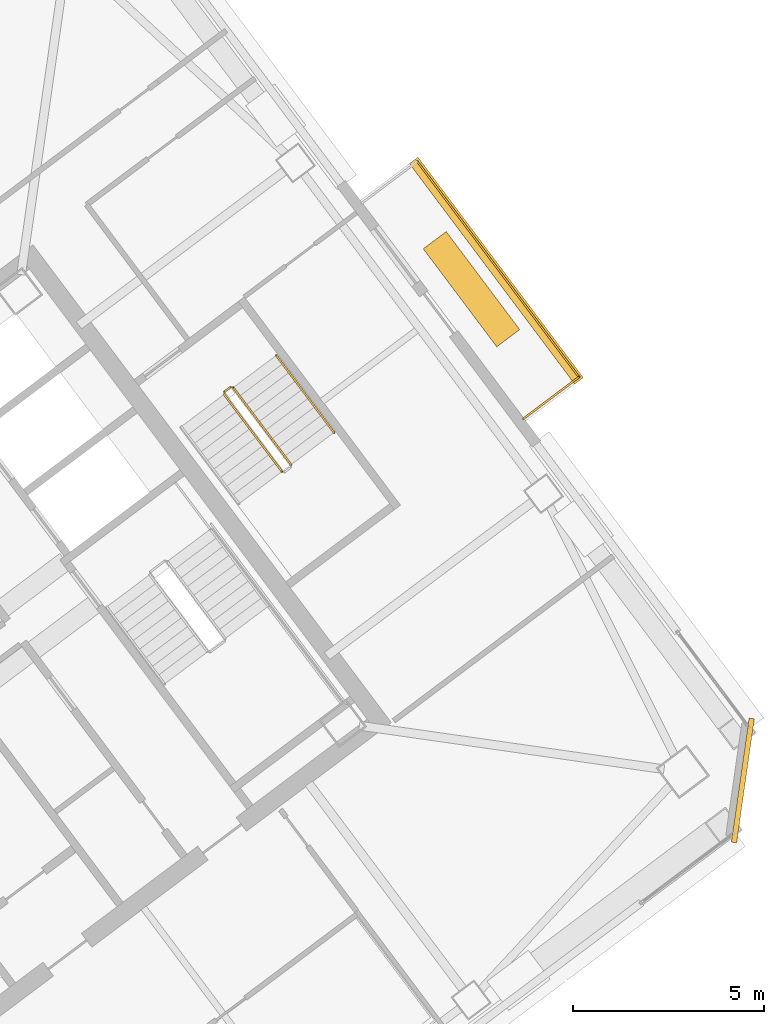
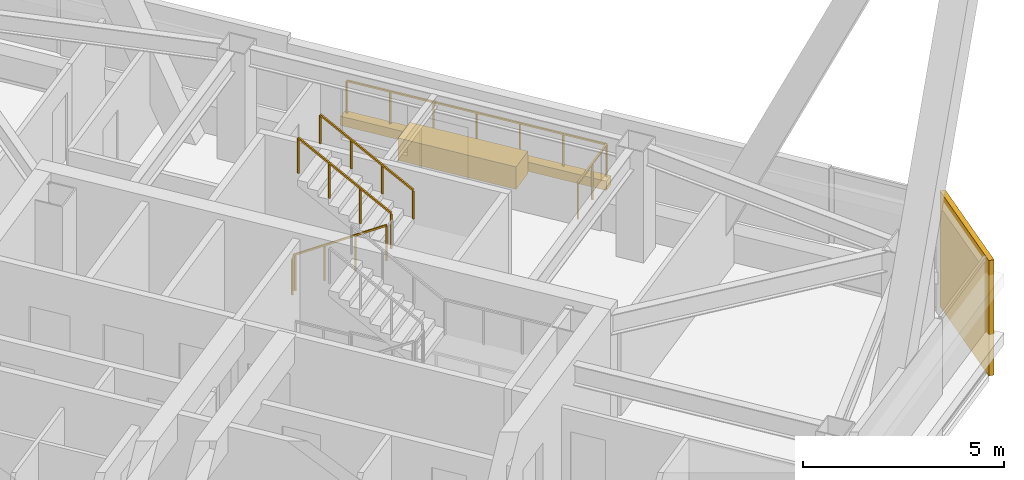
# One storey, part 55 of 56: 6 railings, 3 coverings.
"""IFC4 building model written with IfcOpenShell, lengths in metres."""

from ifc_helpers import new_model, si_unit, direction, frame, origin, origin_2d, place, context, subcontext, project, spatial, rectangle, extrude, material, layer, layer_set, type_object, element, save


model = new_model("IFC4")

# Units and contexts
model_context = context("Model", 3, precision=1e-05, world=origin(), true_north=direction((0.0, 1.0)))
body_context = subcontext(model_context, "Body", "Model", "MODEL_VIEW")
ifc_project = project(units=[si_unit("LENGTHUNIT", "METRE"), si_unit("AREAUNIT", "SQUARE_METRE"), si_unit("VOLUMEUNIT", "CUBIC_METRE"), si_unit("PLANEANGLEUNIT", "RADIAN"), si_unit("MASSUNIT", "GRAM", prefix="KILO")], contexts=[model_context])

# Site, building, storey
site_placement = place(None, origin())
site = spatial("IfcSite", under=ifc_project, at=site_placement, CompositionType="ELEMENT")
building_placement = place(site_placement, origin())
building = spatial("IfcBuilding", under=site, at=building_placement, Name="Tashvorn Skyway Center", CompositionType="ELEMENT")
storey_placement = place(building_placement, frame((0.0, 0.0, 218.39990234375)))
storey = spatial("IfcBuildingStorey", under=building, at=storey_placement, Name="L59", CompositionType="ELEMENT", Elevation=218.39990234375)

# Coverings
ifc_material_1 = material(Name="Precast concrete C40/50", Category="concrete")
ifc_layer = layer(ifc_material_1, 0.35009765625)
ifc_layer_set = layer_set([ifc_layer], Name="Precast concrete C40/50")
covering_type = type_object("IfcCoveringType", Name="COV-STONE-TRIM", PredefinedType="CLADDING", material=ifc_layer_set)
covering_1_placement = place(storey_placement, frame((127.887939453125, 42.416015625, -0.16015625), z_axis=(0.0, 0.0, 1.0), x_axis=(0.600000004945, -0.799999996291, 0.0)))
element("IfcCovering", 1, at=covering_1_placement, inside=storey, type_object=covering_type, Name="Tower 2 L59 Spiral Terrace Terracotta Fascia", PredefinedType="CLADDING", context=body_context, shape_type="SweptSolid", body=[
    extrude(rectangle(XDim=7.199951171875, YDim=0.280029296875, at=origin_2d()), origin(), (0.0, 0.0, 1.0), 0.280029296875),
])
covering_2_placement = place(storey_placement, frame((127.239990234375, 41.929931640625, 0.0), z_axis=(0.0, 0.0, 1.0), x_axis=(0.600000004945, -0.799999996291, 0.0)))
element("IfcCovering", 2, at=covering_2_placement, inside=storey, type_object=covering_type, Name="Tower 2 L59 Spiral Terrace Planter", PredefinedType="CLADDING", context=body_context, shape_type="SweptSolid", body=[
    extrude(rectangle(XDim=3.199951171875, YDim=0.75, at=origin_2d()), origin(), (0.0, 0.0, 1.0), 0.679931640625),
])
covering_3_placement = place(storey_placement, frame((134.327880859375, 29.095947265625, 0.02001953125), z_axis=(0.0, 0.0, 1.0), x_axis=(0.141421350118, 0.989949494535, 0.0)))
element("IfcCovering", 3, at=covering_3_placement, inside=storey, type_object=covering_type, Name="Tower 2 L59 SE Mojave Limestone Corner Quoin", PredefinedType="CLADDING", context=body_context, shape_type="SweptSolid", body=[
    extrude(rectangle(XDim=3.271240234375, YDim=0.139892578125, at=origin_2d()), origin(), (0.0, 0.0, 1.0), 3.510009765625),
])

# Railings
ifc_material_2 = material(Name="Galvanized steel S355", Category="steel")
railing_type_1 = type_object("IfcRailingType", Name="RAIL-GUARD-1120", PredefinedType="GUARDRAIL", material=ifc_material_2)
railing_1_placement = place(storey_placement, frame((128.592041015625, 38.5439453125, 0.0)))
element("IfcRailing", 4, at=railing_1_placement, inside=storey, type_object=railing_type_1, Name="L59 Tower 2 Terrace Guardrail 01", PredefinedType="GUARDRAIL", context=body_context, shape_type="SweptSolid", body=[
    extrude(rectangle(XDim=0.048095703125, YDim=0.048095703125, at=origin_2d()), frame((0.0, 0.0, 1.09619140625), z_axis=(0.8, 0.6, 0.0), x_axis=(-0.6, 0.8, 0.0)), (0.0, 0.0, 1.0), 1.820068359375),
    extrude(rectangle(XDim=0.0419921875, YDim=0.0419921875, at=origin_2d()), origin(), (0.0, 0.0, 1.0), 1.072021484375),
    extrude(rectangle(XDim=0.0419921875, YDim=0.0419921875, at=origin_2d()), frame((0.72802734375, 0.5458984375, 0.0)), (0.0, 0.0, 1.0), 1.072021484375),
    extrude(rectangle(XDim=0.0419921875, YDim=0.0419921875, at=origin_2d()), frame((1.4560546875, 1.092041015625, 0.0)), (0.0, 0.0, 1.0), 1.072021484375),
])
railing_2_placement = place(storey_placement, frame((130.048095703125, 39.635986328125, 0.0)))
element("IfcRailing", 5, at=railing_2_placement, inside=storey, type_object=railing_type_1, Name="L59 Tower 2 Terrace Guardrail 02", PredefinedType="GUARDRAIL", context=body_context, shape_type="SweptSolid", body=[
    extrude(rectangle(XDim=0.048095703125, YDim=0.048095703125, at=origin_2d()), frame((0.0, 0.0, 1.09619140625), z_axis=(-0.600005548528, 0.799995838574, 0.0), x_axis=(-0.799995838574, -0.600005548528, 0.0)), (0.0, 0.0, 1.0), 7.0400390625),
    extrude(rectangle(XDim=0.0419921875, YDim=0.0419921875, at=origin_2d()), origin(), (0.0, 0.0, 1.0), 1.072021484375),
    extrude(rectangle(XDim=0.0419921875, YDim=0.0419921875, at=origin_2d()), frame((-0.7041015625, 0.938720703125, 0.0)), (0.0, 0.0, 1.0), 1.072021484375),
    extrude(rectangle(XDim=0.0419921875, YDim=0.0419921875, at=origin_2d()), frame((-1.407958984375, 1.87744140625, 0.0)), (0.0, 0.0, 1.0), 1.072021484375),
    extrude(rectangle(XDim=0.0419921875, YDim=0.0419921875, at=origin_2d()), frame((-2.112060546875, 2.81591796875, 0.0)), (0.0, 0.0, 1.0), 1.072021484375),
    extrude(rectangle(XDim=0.0419921875, YDim=0.0419921875, at=origin_2d()), frame((-2.816162109375, 3.754638671875, 0.0)), (0.0, 0.0, 1.0), 1.072021484375),
    extrude(rectangle(XDim=0.0419921875, YDim=0.0419921875, at=origin_2d()), frame((-3.52001953125, 4.693359375, 0.0)), (0.0, 0.0, 1.0), 1.072021484375),
    extrude(rectangle(XDim=0.0419921875, YDim=0.0419921875, at=origin_2d()), frame((-4.22412109375, 5.632080078125, 0.0)), (0.0, 0.0, 1.0), 1.072021484375),
])
ifc_material_3 = material(Name="Brushed stainless steel 316", Category="steel")
railing_type_2 = type_object("IfcRailingType", Name="RAIL-HAND-920", PredefinedType="HANDRAIL", material=ifc_material_3)
railing_3_placement = place(storey_placement, frame((123.64794921875, 38.18603515625, 1.95263671875)))
element("IfcRailing", 6, at=railing_3_placement, inside=storey, type_object=railing_type_2, Name="L59 ST-T2-3 stair handrail 2", PredefinedType="HANDRAIL", context=body_context, shape_type="SweptSolid", body=[
    extrude(rectangle(XDim=0.048095703125, YDim=0.048095703125, at=origin_2d()), frame((0.0, 0.0, 0.8759765625), z_axis=(-0.506768818287, 0.675664481285, 0.535409071218), x_axis=(-0.79998837352, -0.60001550166, 0.0)), (0.0, 0.0, 1.0), 2.983642578125),
    extrude(rectangle(XDim=0.0419921875, YDim=0.0419921875, at=origin_2d()), origin(), (0.0, 0.0, 1.0), 0.851806640625),
    extrude(rectangle(XDim=0.0419921875, YDim=0.0419921875, at=origin_2d()), frame((-0.50390625, 0.671875, 0.532470703125)), (0.0, 0.0, 1.0), 0.851806640625),
    extrude(rectangle(XDim=0.0419921875, YDim=0.0419921875, at=origin_2d()), frame((-1.008056640625, 1.343994140625, 1.06494140625)), (0.0, 0.0, 1.0), 0.851806640625),
    extrude(rectangle(XDim=0.0419921875, YDim=0.0419921875, at=origin_2d()), frame((-1.511962890625, 2.015869140625, 1.597412109375)), (0.0, 0.0, 1.0), 0.851806640625),
])
ifc_material_4 = material(Name="Painted galvanized steel S355", Category="steel")
railing_type_3 = type_object("IfcRailingType", Name="RAIL-STGUARD-1100", PredefinedType="GUARDRAIL", material=ifc_material_4)
railing_4_placement = place(storey_placement, frame((120.77587890625, 39.181884765625, 0.177490234375)))
element("IfcRailing", 7, at=railing_4_placement, inside=storey, type_object=railing_type_3, Name="L59 ST-T2-3 stair guard 1", PredefinedType="GUARDRAIL", context=body_context, shape_type="SweptSolid", body=[
    extrude(rectangle(XDim=0.048095703125, YDim=0.048095703125, at=origin_2d()), frame((0.0, 0.0, 1.076171875), z_axis=(0.506807425148, -0.675606863004, 0.535445235739), x_axis=(0.799941867976, 0.600077501544, 0.0)), (0.0, 0.0, 1.0), 2.98388671875),
    extrude(rectangle(XDim=0.0419921875, YDim=0.0419921875, at=origin_2d()), origin(), (0.0, 0.0, 1.0), 1.052001953125),
    extrude(rectangle(XDim=0.0419921875, YDim=0.0419921875, at=origin_2d()), frame((0.504150390625, -0.671875, 0.532470703125)), (0.0, 0.0, 1.0), 1.052001953125),
    extrude(rectangle(XDim=0.0419921875, YDim=0.0419921875, at=origin_2d()), frame((1.008056640625, -1.343994140625, 1.065185546875)), (0.0, 0.0, 1.0), 1.052001953125),
    extrude(rectangle(XDim=0.0419921875, YDim=0.0419921875, at=origin_2d()), frame((1.51220703125, -2.015869140625, 1.59765625)), (0.0, 0.0, 1.0), 1.052001953125),
])
railing_5_placement = place(storey_placement, frame((122.528076171875, 37.345947265625, 1.95263671875)))
element("IfcRailing", 8, at=railing_5_placement, inside=storey, type_object=railing_type_3, Name="L59 ST-T2-3 stair guard 3", PredefinedType="GUARDRAIL", context=body_context, shape_type="SweptSolid", body=[
    extrude(rectangle(XDim=0.048095703125, YDim=0.048095703125, at=origin_2d()), frame((0.0, 0.0, 1.076171875), z_axis=(-0.506740800098, 0.675708949977, 0.535379469569), x_axis=(-0.800023250257, -0.599968998406, 0.0)), (0.0, 0.0, 1.0), 2.983642578125),
    extrude(rectangle(XDim=0.0419921875, YDim=0.0419921875, at=origin_2d()), origin(), (0.0, 0.0, 1.0), 1.052001953125),
    extrude(rectangle(XDim=0.0419921875, YDim=0.0419921875, at=origin_2d()), frame((-0.50390625, 0.672119140625, 0.532470703125)), (0.0, 0.0, 1.0), 1.052001953125),
    extrude(rectangle(XDim=0.0419921875, YDim=0.0419921875, at=origin_2d()), frame((-1.008056640625, 1.343994140625, 1.06494140625)), (0.0, 0.0, 1.0), 1.052001953125),
    extrude(rectangle(XDim=0.0419921875, YDim=0.0419921875, at=origin_2d()), frame((-1.511962890625, 2.01611328125, 1.597412109375)), (0.0, 0.0, 1.0), 1.052001953125),
])
railing_6_placement = place(storey_placement, frame((120.785888671875, 39.251953125, 0.0)))
element("IfcRailing", 9, at=railing_6_placement, inside=storey, type_object=railing_type_3, Name="L59 ST-T2-3 stair guard 4", PredefinedType="GUARDRAIL", context=body_context, shape_type="SweptSolid", body=[
    extrude(rectangle(XDim=0.048095703125, YDim=0.048095703125, at=origin_2d()), frame((0.0, 0.0, 1.076171875), z_axis=(0.8, 0.6, 0.0), x_axis=(-0.6, 0.8, 0.0)), (0.0, 0.0, 1.0), 0.2001953125),
    extrude(rectangle(XDim=0.0419921875, YDim=0.0419921875, at=origin_2d()), origin(), (0.0, 0.0, 1.0), 1.052001953125),
    extrude(rectangle(XDim=0.0419921875, YDim=0.0419921875, at=origin_2d()), frame((0.16015625, 0.1201171875, 0.0)), (0.0, 0.0, 1.0), 1.052001953125),
])

save(model, "model.ifc")
